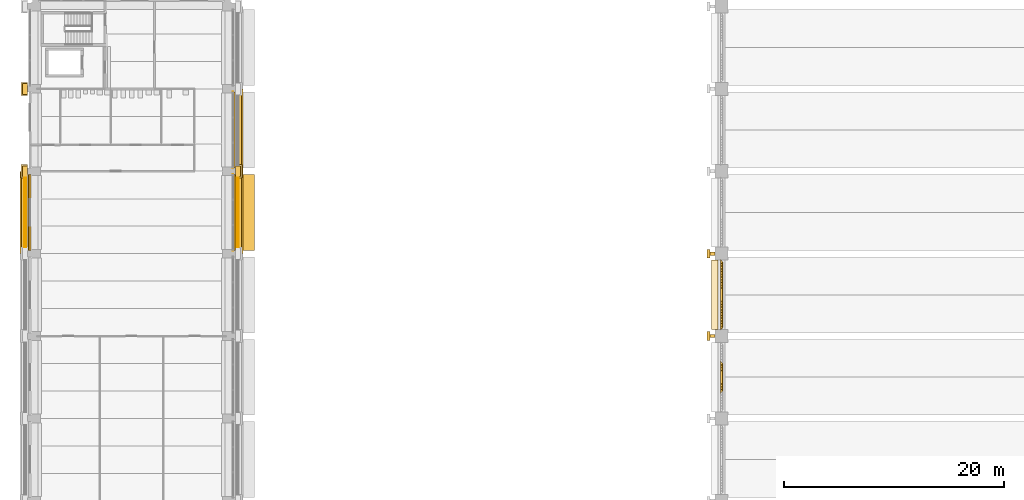
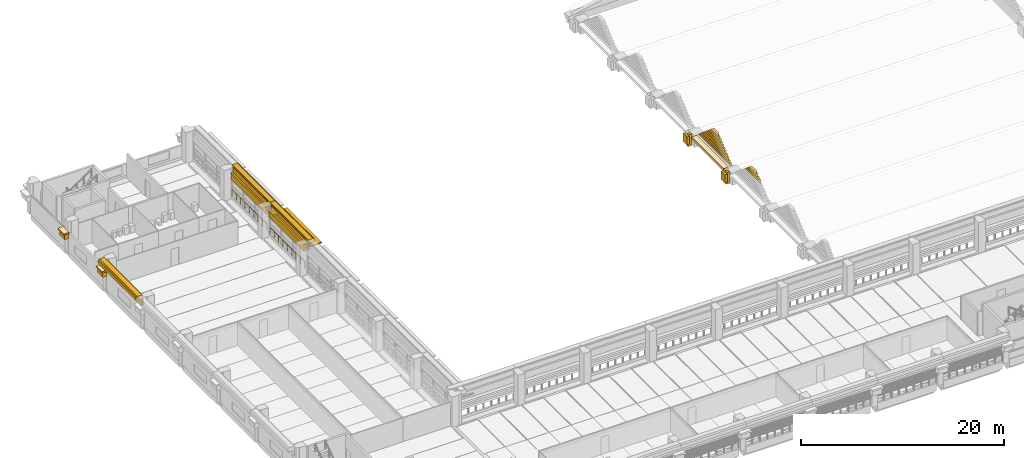
# One storey, part 51 of 71: 19 coverings, 16 shading devices, 2 railings.
"""IFC4 building model written with IfcOpenShell, lengths in metres."""

from ifc_helpers import new_model, si_unit, direction, frame, origin, origin_2d, place, context, subcontext, project, spatial, polyline, circle, outline, extrude, material, layer, layer_set, type_object, element, save


model = new_model("IFC4")

# Units and contexts
model_context = context("Model", 3, precision=1e-05, world=origin(), true_north=direction((0.0, 1.0)))
body_context = subcontext(model_context, "Body", "Model", "MODEL_VIEW")
ifc_project = project(units=[si_unit("LENGTHUNIT", "METRE"), si_unit("AREAUNIT", "SQUARE_METRE"), si_unit("VOLUMEUNIT", "CUBIC_METRE"), si_unit("PLANEANGLEUNIT", "RADIAN"), si_unit("MASSUNIT", "GRAM", prefix="KILO")], contexts=[model_context])

# Site, building, storey
site_placement = place(None, origin())
site = spatial("IfcSite", under=ifc_project, at=site_placement, CompositionType="ELEMENT")
building_placement = place(site_placement, origin())
building = spatial("IfcBuilding", under=site, at=building_placement, Name="Cour d'Honneur Mobility Palace", CompositionType="ELEMENT")
storey_placement = place(building_placement, frame((0.0, 0.0, 15.60009765625)))
storey = spatial("IfcBuildingStorey", under=building, at=storey_placement, Name="L04", CompositionType="ELEMENT", Elevation=15.60009765625)

# Railings
ifc_material_1 = material(Name="Painted steel", Category="steel")
railing_type = type_object("IfcRailingType", Name="Balustrade", PredefinedType="BALUSTRADE", material=ifc_material_1)
for number, where, name in (
    (1, (17.949951171875, 92.699951171875, 0.2998046875), "Balustrade BAL-256"),
    (2, (17.949951171875, 100.199951171875, 0.2998046875), "Balustrade BAL-257"),
):
    element("IfcRailing", number, at=place(storey_placement, frame(where)), inside=storey, type_object=railing_type, Name=name, PredefinedType="BALUSTRADE", context=body_context, shape_type="SweptSolid", body=[
        extrude(circle(Radius=0.02392578125, at=origin_2d()), frame((0.0, 0.0, 0.77587890625), z_axis=(0.0, 1.0, 0.0), x_axis=(-1.0, 0.0, 0.0)), (0.0, 0.0, 1.0), 6.900146484375),
        extrude(circle(Radius=0.02099609375, at=origin_2d()), origin(), (0.0, 0.0, 1.0), 0.751953125),
        extrude(circle(Radius=0.02099609375, at=origin_2d()), frame((0.0, 0.862548828125, 0.0)), (0.0, 0.0, 1.0), 0.751953125),
        extrude(circle(Radius=0.02099609375, at=origin_2d()), frame((0.0, 1.72509765625, 0.0)), (0.0, 0.0, 1.0), 0.751953125),
        extrude(circle(Radius=0.02099609375, at=origin_2d()), frame((0.0, 2.587646484375, 0.0)), (0.0, 0.0, 1.0), 0.751953125),
        extrude(circle(Radius=0.02099609375, at=origin_2d()), frame((0.0, 3.4501953125, 0.0)), (0.0, 0.0, 1.0), 0.751953125),
        extrude(circle(Radius=0.02099609375, at=origin_2d()), frame((0.0, 4.3125, 0.0)), (0.0, 0.0, 1.0), 0.751953125),
        extrude(circle(Radius=0.02099609375, at=origin_2d()), frame((0.0, 5.175048828125, 0.0)), (0.0, 0.0, 1.0), 0.751953125),
        extrude(circle(Radius=0.02099609375, at=origin_2d()), frame((0.0, 6.03759765625, 0.0)), (0.0, 0.0, 1.0), 0.751953125),
        extrude(circle(Radius=0.02099609375, at=origin_2d()), frame((0.0, 6.900146484375, 0.0)), (0.0, 0.0, 1.0), 0.751953125),
    ])

# Coverings
ifc_material_2 = material(Name="Cast limestone", Category="masonry")
ifc_layer_1 = layer(ifc_material_2, 0.14990234375)
ifc_layer_set_1 = layer_set([ifc_layer_1], Name="Cast limestone")
covering_type_1 = type_object("IfcCoveringType", Name="Dentil course", PredefinedType="CLADDING", material=ifc_layer_set_1)
covering_1_placement = place(storey_placement, frame((0.0, 0.0, 3.14990234375)))
element("IfcCovering", 3, at=covering_1_placement, inside=storey, type_object=covering_type_1, Name="Dentil course DC-116", PredefinedType="CLADDING", context=body_context, shape_type="SweptSolid", body=[
    extrude(outline(polyline([(18.300048828125, 92.85009765625), (18.300048828125, 99.449951171875), (18.330078125, 99.449951171875), (18.330078125, 99.449951171875), (18.330078125, 99.371337890625), (18.449951171875, 99.371337890625), (18.449951171875, 99.21435546875), (18.330078125, 99.21435546875), (18.330078125, 99.1357421875), (18.330078125, 99.1357421875), (18.330078125, 99.05712890625), (18.449951171875, 99.05712890625), (18.449951171875, 98.89990234375), (18.330078125, 98.89990234375), (18.330078125, 98.821533203125), (18.330078125, 98.821533203125), (18.330078125, 98.742919921875), (18.449951171875, 98.742919921875), (18.449951171875, 98.585693359375), (18.330078125, 98.585693359375), (18.330078125, 98.507080078125), (18.330078125, 98.507080078125), (18.330078125, 98.428466796875), (18.449951171875, 98.428466796875), (18.449951171875, 98.271484375), (18.330078125, 98.271484375), (18.330078125, 98.19287109375), (18.330078125, 98.19287109375), (18.330078125, 98.1142578125), (18.449951171875, 98.1142578125), (18.449951171875, 97.95703125), (18.330078125, 97.95703125), (18.330078125, 97.878662109375), (18.330078125, 97.878662109375), (18.330078125, 97.800048828125), (18.449951171875, 97.800048828125), (18.449951171875, 97.642822265625), (18.330078125, 97.642822265625), (18.330078125, 97.564208984375), (18.330078125, 97.564208984375), (18.330078125, 97.485595703125), (18.449951171875, 97.485595703125), (18.449951171875, 97.32861328125), (18.330078125, 97.32861328125), (18.330078125, 97.25), (18.330078125, 97.25), (18.330078125, 97.17138671875), (18.449951171875, 97.17138671875), (18.449951171875, 97.014404296875), (18.330078125, 97.014404296875), (18.330078125, 96.935791015625), (18.330078125, 96.935791015625), (18.330078125, 96.857177734375), (18.449951171875, 96.857177734375), (18.449951171875, 96.699951171875), (18.330078125, 96.699951171875), (18.330078125, 96.621337890625), (18.330078125, 96.621337890625), (18.330078125, 96.54296875), (18.449951171875, 96.54296875), (18.449951171875, 96.3857421875), (18.330078125, 96.3857421875), (18.330078125, 96.30712890625), (18.330078125, 96.30712890625), (18.330078125, 96.228515625), (18.449951171875, 96.228515625), (18.449951171875, 96.071533203125), (18.330078125, 96.071533203125), (18.330078125, 95.992919921875), (18.330078125, 95.992919921875), (18.330078125, 95.914306640625), (18.449951171875, 95.914306640625), (18.449951171875, 95.757080078125), (18.330078125, 95.757080078125), (18.330078125, 95.678466796875), (18.330078125, 95.678466796875), (18.330078125, 95.60009765625), (18.449951171875, 95.60009765625), (18.449951171875, 95.44287109375), (18.330078125, 95.44287109375), (18.330078125, 95.3642578125), (18.330078125, 95.3642578125), (18.330078125, 95.28564453125), (18.449951171875, 95.28564453125), (18.449951171875, 95.128662109375), (18.330078125, 95.128662109375), (18.330078125, 95.050048828125), (18.330078125, 95.050048828125), (18.330078125, 94.971435546875), (18.449951171875, 94.971435546875), (18.449951171875, 94.814208984375), (18.330078125, 94.814208984375), (18.330078125, 94.735595703125), (18.330078125, 94.735595703125), (18.330078125, 94.6572265625), (18.449951171875, 94.6572265625), (18.449951171875, 94.5), (18.330078125, 94.5), (18.330078125, 94.42138671875), (18.330078125, 94.42138671875), (18.330078125, 94.3427734375), (18.449951171875, 94.3427734375), (18.449951171875, 94.185791015625), (18.330078125, 94.185791015625), (18.330078125, 94.107177734375), (18.330078125, 94.107177734375), (18.330078125, 94.028564453125), (18.449951171875, 94.028564453125), (18.449951171875, 93.871337890625), (18.330078125, 93.871337890625), (18.330078125, 93.79296875), (18.330078125, 93.79296875), (18.330078125, 93.71435546875), (18.449951171875, 93.71435546875), (18.449951171875, 93.55712890625), (18.330078125, 93.55712890625), (18.330078125, 93.478515625), (18.330078125, 93.478515625), (18.330078125, 93.39990234375), (18.449951171875, 93.39990234375), (18.449951171875, 93.242919921875), (18.330078125, 93.242919921875), (18.330078125, 93.164306640625), (18.330078125, 93.164306640625), (18.330078125, 93.085693359375), (18.449951171875, 93.085693359375), (18.449951171875, 92.928466796875), (18.330078125, 92.928466796875), (18.330078125, 92.85009765625), (18.300048828125, 92.85009765625)])), origin(), (0.0, 0.0, 1.0), 0.14990234375),
])
covering_2_placement = place(storey_placement, frame((0.0, 0.0, 3.14990234375)))
element("IfcCovering", 4, at=covering_2_placement, inside=storey, type_object=covering_type_1, Name="Dentil course DC-119", PredefinedType="CLADDING", context=body_context, shape_type="SweptSolid", body=[
    extrude(outline(polyline([(-0.89990234375, 99.449951171875), (-0.89990234375, 92.85009765625), (-0.929931640625, 92.85009765625), (-0.929931640625, 92.85009765625), (-0.929931640625, 92.928466796875), (-1.050048828125, 92.928466796875), (-1.050048828125, 93.085693359375), (-0.929931640625, 93.085693359375), (-0.929931640625, 93.164306640625), (-0.929931640625, 93.164306640625), (-0.929931640625, 93.242919921875), (-1.050048828125, 93.242919921875), (-1.050048828125, 93.39990234375), (-0.929931640625, 93.39990234375), (-0.929931640625, 93.478515625), (-0.929931640625, 93.478515625), (-0.929931640625, 93.55712890625), (-1.050048828125, 93.55712890625), (-1.050048828125, 93.71435546875), (-0.929931640625, 93.71435546875), (-0.929931640625, 93.79296875), (-0.929931640625, 93.79296875), (-0.929931640625, 93.871337890625), (-1.050048828125, 93.871337890625), (-1.050048828125, 94.028564453125), (-0.929931640625, 94.028564453125), (-0.929931640625, 94.107177734375), (-0.929931640625, 94.107177734375), (-0.929931640625, 94.185791015625), (-1.050048828125, 94.185791015625), (-1.050048828125, 94.3427734375), (-0.929931640625, 94.3427734375), (-0.929931640625, 94.42138671875), (-0.929931640625, 94.42138671875), (-0.929931640625, 94.5), (-1.050048828125, 94.5), (-1.050048828125, 94.6572265625), (-0.929931640625, 94.6572265625), (-0.929931640625, 94.735595703125), (-0.929931640625, 94.735595703125), (-0.929931640625, 94.814208984375), (-1.050048828125, 94.814208984375), (-1.050048828125, 94.971435546875), (-0.929931640625, 94.971435546875), (-0.929931640625, 95.050048828125), (-0.929931640625, 95.050048828125), (-0.929931640625, 95.128662109375), (-1.050048828125, 95.128662109375), (-1.050048828125, 95.28564453125), (-0.929931640625, 95.28564453125), (-0.929931640625, 95.3642578125), (-0.929931640625, 95.3642578125), (-0.929931640625, 95.44287109375), (-1.050048828125, 95.44287109375), (-1.050048828125, 95.60009765625), (-0.929931640625, 95.60009765625), (-0.929931640625, 95.678466796875), (-0.929931640625, 95.678466796875), (-0.929931640625, 95.757080078125), (-1.050048828125, 95.757080078125), (-1.050048828125, 95.914306640625), (-0.929931640625, 95.914306640625), (-0.929931640625, 95.992919921875), (-0.929931640625, 95.992919921875), (-0.929931640625, 96.071533203125), (-1.050048828125, 96.071533203125), (-1.050048828125, 96.228515625), (-0.929931640625, 96.228515625), (-0.929931640625, 96.30712890625), (-0.929931640625, 96.30712890625), (-0.929931640625, 96.3857421875), (-1.050048828125, 96.3857421875), (-1.050048828125, 96.54296875), (-0.929931640625, 96.54296875), (-0.929931640625, 96.621337890625), (-0.929931640625, 96.621337890625), (-0.929931640625, 96.699951171875), (-1.050048828125, 96.699951171875), (-1.050048828125, 96.857177734375), (-0.929931640625, 96.857177734375), (-0.929931640625, 96.935791015625), (-0.929931640625, 96.935791015625), (-0.929931640625, 97.014404296875), (-1.050048828125, 97.014404296875), (-1.050048828125, 97.17138671875), (-0.929931640625, 97.17138671875), (-0.929931640625, 97.25), (-0.929931640625, 97.25), (-0.929931640625, 97.32861328125), (-1.050048828125, 97.32861328125), (-1.050048828125, 97.485595703125), (-0.929931640625, 97.485595703125), (-0.929931640625, 97.564208984375), (-0.929931640625, 97.564208984375), (-0.929931640625, 97.642822265625), (-1.050048828125, 97.642822265625), (-1.050048828125, 97.800048828125), (-0.929931640625, 97.800048828125), (-0.929931640625, 97.878662109375), (-0.929931640625, 97.878662109375), (-0.929931640625, 97.95703125), (-1.050048828125, 97.95703125), (-1.050048828125, 98.1142578125), (-0.929931640625, 98.1142578125), (-0.929931640625, 98.19287109375), (-0.929931640625, 98.19287109375), (-0.929931640625, 98.271484375), (-1.050048828125, 98.271484375), (-1.050048828125, 98.428466796875), (-0.929931640625, 98.428466796875), (-0.929931640625, 98.507080078125), (-0.929931640625, 98.507080078125), (-0.929931640625, 98.585693359375), (-1.050048828125, 98.585693359375), (-1.050048828125, 98.742919921875), (-0.929931640625, 98.742919921875), (-0.929931640625, 98.821533203125), (-0.929931640625, 98.821533203125), (-0.929931640625, 98.89990234375), (-1.050048828125, 98.89990234375), (-1.050048828125, 99.05712890625), (-0.929931640625, 99.05712890625), (-0.929931640625, 99.1357421875), (-0.929931640625, 99.1357421875), (-0.929931640625, 99.21435546875), (-1.050048828125, 99.21435546875), (-1.050048828125, 99.371337890625), (-0.929931640625, 99.371337890625), (-0.929931640625, 99.449951171875), (-0.89990234375, 99.449951171875)])), origin(), (0.0, 0.0, 1.0), 0.14990234375),
])

# Shading device
ifc_material_3 = material(Name="Anodised aluminium", Category="aluminium")
ifc_layer_2 = layer(ifc_material_3, 0.1201171875)
ifc_layer_set_2 = layer_set([ifc_layer_2], Name="Anodised aluminium")
shading_device_type_1 = type_object("IfcShadingDeviceType", Name="Eave sunshade 1800", PredefinedType="AWNING", material=ifc_layer_set_2)
shading_device_1_placement = place(storey_placement, frame((0.0, 0.0, 2.6298828125)))
element("IfcShadingDevice", 5, at=shading_device_1_placement, inside=storey, type_object=shading_device_type_1, Name="Sunshade E9.4 L04", PredefinedType="AWNING", context=body_context, shape_type="SweptSolid", body=[
    extrude(outline(polyline([(18.10009765625, 92.699951171875), (18.10009765625, 99.60009765625), (19.89990234375, 99.60009765625), (19.89990234375, 92.699951171875), (18.10009765625, 92.699951171875)])), origin(), (0.0, 0.0, 1.0), 0.1201171875),
])

# Coverings
ifc_material_4 = material(Name="Cast limestone", Category="masonry")
ifc_layer_3 = layer(ifc_material_4, 0.699951171875)
ifc_layer_set_3 = layer_set([ifc_layer_3], Name="Cast limestone")
covering_type_2 = type_object("IfcCoveringType", Name="Entablature", PredefinedType="CLADDING", material=ifc_layer_set_3)
for number, where, z_axis, x_axis, name in (
    (6, (18.14990234375, 92.39990234375, 2.599853515625), (0.0, -1.0, 0.0), (1.0, 0.0, 0.0), "Entablature EN-116"),
    (7, (18.14990234375, 99.89990234375, 2.599853515625), (0.0, -1.0, 0.0), (1.0, 0.0, 0.0), "Entablature EN-117"),
):
    element("IfcCovering", number, at=place(storey_placement, frame(where, z_axis=z_axis, x_axis=x_axis)), inside=storey, type_object=covering_type_2, Name=name, PredefinedType="CLADDING", context=body_context, shape_type="SweptSolid", body=[
        extrude(outline(polyline([(0.0, 0.0), (0.150146484375, 0.0), (0.150146484375, 0.699951171875), (0.7001953125, 0.699951171875), (0.7001953125, 1.10009765625), (0.550048828125, 1.199951171875), (0.0, 1.199951171875), (0.0, 0.0)])), origin(), (0.0, 0.0, -1.0), 7.5),
    ])
covering_3_placement = place(storey_placement, frame((-0.75, 99.89990234375, 2.599853515625), z_axis=(0.0, 1.0, 0.0), x_axis=(-1.0, 0.0, 0.0)))
element("IfcCovering", 8, at=covering_3_placement, inside=storey, type_object=covering_type_2, Name="Entablature EN-119", PredefinedType="CLADDING", context=body_context, shape_type="SweptSolid", body=[
    extrude(outline(polyline([(0.0, 0.0), (0.14990234375, 0.0), (0.14990234375, 0.699951171875), (0.699951171875, 0.699951171875), (0.699951171875, 1.10009765625), (0.550048828125, 1.199951171875), (0.0, 1.199951171875), (0.0, 0.0)])), origin(), (0.0, 0.0, -1.0), 7.5),
])
ifc_material_5 = material(Name="Cast limestone", Category="masonry")
ifc_layer_4 = layer(ifc_material_5, 0.39990234375)
ifc_layer_set_4 = layer_set([ifc_layer_4], Name="Cast limestone")
covering_type_3 = type_object("IfcCoveringType", Name="Hall eave cornice", PredefinedType="CLADDING", material=ifc_layer_set_4)
covering_4_placement = place(storey_placement, frame((62.10009765625, 85.5, 1.39990234375), z_axis=(0.0, -1.0, 0.0), x_axis=(-1.0, 0.0, 0.0)))
element("IfcCovering", 9, at=covering_4_placement, inside=storey, type_object=covering_type_3, Name="Hall eave cornice EB-W4", PredefinedType="CLADDING", context=body_context, shape_type="SweptSolid", body=[
    extrude(outline(polyline([(0.0, 0.0), (0.60009765625, 0.0), (0.60009765625, 0.300048828125), (0.35009765625, 0.300048828125), (0.35009765625, 0.550048828125), (0.0, 0.550048828125), (0.0, 0.0)])), origin(), (0.0, 0.0, -1.0), 6.300048828125),
])
ifc_material_6 = material(Name="Cast limestone", Category="masonry")
ifc_layer_5 = layer(ifc_material_6, 0.300048828125)
ifc_layer_set_5 = layer_set([ifc_layer_5], Name="Cast limestone")
covering_type_4 = type_object("IfcCoveringType", Name="Pier fin", PredefinedType="CLADDING", material=ifc_layer_set_5)
covering_5_placement = place(storey_placement, origin())
element("IfcCovering", 10, at=covering_5_placement, inside=storey, type_object=covering_type_4, Name="Pier fin HP-W4 L04", PredefinedType="CLADDING", context=body_context, shape_type="SweptSolid", body=[
    extrude(outline(polyline([(61.35009765625, 84.75), (61.800048828125, 84.75), (61.800048828125, 85.050048828125), (61.35009765625, 85.050048828125), (61.35009765625, 84.75)])), origin(), (0.0, 0.0, 1.0), 1.39990234375),
])
covering_6_placement = place(storey_placement, origin())
element("IfcCovering", 11, at=covering_6_placement, inside=storey, type_object=covering_type_4, Name="Pier fin HP-W5 L04", PredefinedType="CLADDING", context=body_context, shape_type="SweptSolid", body=[
    extrude(outline(polyline([(61.35009765625, 92.25), (61.800048828125, 92.25), (61.800048828125, 92.550048828125), (61.35009765625, 92.550048828125), (61.35009765625, 92.25)])), origin(), (0.0, 0.0, 1.0), 1.39990234375),
])
ifc_material_7 = material(Name="Cast limestone", Category="masonry")
ifc_layer_6 = layer(ifc_material_7, 0.1201171875)
ifc_layer_set_6 = layer_set([ifc_layer_6], Name="Cast limestone")
covering_type_5 = type_object("IfcCoveringType", Name="Pilaster capital", PredefinedType="CLADDING", material=ifc_layer_set_6)
covering_7_placement = place(storey_placement, frame((0.0, 0.0, 1.7998046875)))
element("IfcCovering", 12, at=covering_7_placement, inside=storey, type_object=covering_type_5, Name="Pilaster capital PK-169", PredefinedType="CLADDING", context=body_context, shape_type="SweptSolid", body=[
    extrude(outline(polyline([(18.14990234375, 99.39990234375), (18.14990234375, 100.39990234375), (18.6201171875, 100.39990234375), (18.6201171875, 99.39990234375), (18.14990234375, 99.39990234375)])), origin(), (0.0, 0.0, 1.0), 0.6201171875),
])
covering_8_placement = place(storey_placement, frame((0.0, 0.0, 2.419921875)))
element("IfcCovering", 13, at=covering_8_placement, inside=storey, type_object=covering_type_5, Name="Pilaster capital PK-170", PredefinedType="CLADDING", context=body_context, shape_type="SweptSolid", body=[
    extrude(outline(polyline([(18.14990234375, 99.300048828125), (18.14990234375, 100.5), (18.75, 100.5), (18.75, 99.300048828125), (18.14990234375, 99.300048828125)])), origin(), (0.0, 0.0, 1.0), 0.179931640625),
])
covering_9_placement = place(storey_placement, frame((0.0, 0.0, 1.7998046875)))
element("IfcCovering", 14, at=covering_9_placement, inside=storey, type_object=covering_type_5, Name="Pilaster capital PK-181", PredefinedType="CLADDING", context=body_context, shape_type="SweptSolid", body=[
    extrude(outline(polyline([(-0.75, 107.89990234375), (-0.75, 106.89990234375), (-1.219970703125, 106.89990234375), (-1.219970703125, 107.89990234375), (-0.75, 107.89990234375)])), origin(), (0.0, 0.0, 1.0), 0.6201171875),
])
covering_10_placement = place(storey_placement, frame((0.0, 0.0, 2.419921875)))
element("IfcCovering", 15, at=covering_10_placement, inside=storey, type_object=covering_type_5, Name="Pilaster capital PK-182", PredefinedType="CLADDING", context=body_context, shape_type="SweptSolid", body=[
    extrude(outline(polyline([(-0.75, 108.0), (-0.75, 106.800048828125), (-1.35009765625, 106.800048828125), (-1.35009765625, 108.0), (-0.75, 108.0)])), origin(), (0.0, 0.0, 1.0), 0.179931640625),
])
covering_11_placement = place(storey_placement, frame((0.0, 0.0, 1.7998046875)))
element("IfcCovering", 16, at=covering_11_placement, inside=storey, type_object=covering_type_5, Name="Pilaster capital PK-183", PredefinedType="CLADDING", context=body_context, shape_type="SweptSolid", body=[
    extrude(outline(polyline([(-0.75, 100.39990234375), (-0.75, 99.39990234375), (-1.219970703125, 99.39990234375), (-1.219970703125, 100.39990234375), (-0.75, 100.39990234375)])), origin(), (0.0, 0.0, 1.0), 0.6201171875),
])
covering_12_placement = place(storey_placement, frame((0.0, 0.0, 2.419921875)))
element("IfcCovering", 17, at=covering_12_placement, inside=storey, type_object=covering_type_5, Name="Pilaster capital PK-184", PredefinedType="CLADDING", context=body_context, shape_type="SweptSolid", body=[
    extrude(outline(polyline([(-0.75, 100.5), (-0.75, 99.300048828125), (-1.35009765625, 99.300048828125), (-1.35009765625, 100.5), (-0.75, 100.5)])), origin(), (0.0, 0.0, 1.0), 0.179931640625),
])
covering_13_placement = place(storey_placement, frame((0.0, 0.0, 0.39990234375)))
element("IfcCovering", 18, at=covering_13_placement, inside=storey, type_object=covering_type_5, Name="Hall pilaster capital HP-W4", PredefinedType="CLADDING", context=body_context, shape_type="SweptSolid", body=[
    extrude(outline(polyline([(61.10009765625, 84.5), (61.35009765625, 84.5), (61.35009765625, 85.300048828125), (61.10009765625, 85.300048828125), (61.10009765625, 84.5)])), origin(), (0.0, 0.0, 1.0), 1.0),
])
covering_14_placement = place(storey_placement, frame((0.0, 0.0, 0.39990234375)))
element("IfcCovering", 19, at=covering_14_placement, inside=storey, type_object=covering_type_5, Name="Hall pilaster capital HP-W5", PredefinedType="CLADDING", context=body_context, shape_type="SweptSolid", body=[
    extrude(outline(polyline([(61.10009765625, 92.0), (61.35009765625, 92.0), (61.35009765625, 92.800048828125), (61.10009765625, 92.800048828125), (61.10009765625, 92.0)])), origin(), (0.0, 0.0, 1.0), 1.0),
])
ifc_material_8 = material(Name="Cast limestone", Category="masonry")
ifc_layer_7 = layer(ifc_material_8, 0.25)
ifc_layer_set_7 = layer_set([ifc_layer_7], Name="Cast limestone")
covering_type_6 = type_object("IfcCoveringType", Name="Spandrel cladding", PredefinedType="CLADDING", material=ifc_layer_set_7)
for number, where, z_axis, x_axis, name in (
    (20, (17.85009765625, 92.699951171875, 2.2998046875), (0.0, -1.0, 0.0), (1.0, 0.0, 0.0), "Spandrel cladding SK-335"),
    (21, (17.85009765625, 100.199951171875, 2.2998046875), (0.0, -1.0, 0.0), (1.0, 0.0, 0.0), "Spandrel cladding SK-336"),
    (22, (-0.449951171875, 99.60009765625, 2.2998046875), (0.0, 1.0, 0.0), (-1.0, 0.0, 0.0), "Spandrel cladding SK-338"),
):
    element("IfcCovering", number, at=place(storey_placement, frame(where, z_axis=z_axis, x_axis=x_axis)), inside=storey, type_object=covering_type_6, Name=name, PredefinedType="CLADDING", context=body_context, shape_type="SweptSolid", body=[
        extrude(outline(polyline([(0.0, 0.0), (0.25, 0.0), (0.25, 1.400146484375), (0.199951171875, 1.400146484375), (0.199951171875, 0.800048828125), (0.0, 0.800048828125), (0.0, 0.0)])), origin(), (0.0, 0.0, -1.0), 6.89990234375),
    ])

# Shading devices
ifc_material_9 = material(Name="Terracotta", Category="masonry")
ifc_layer_8 = layer(ifc_material_9, 0.02490234375)
ifc_layer_set_8 = layer_set([ifc_layer_8], Name="Terracotta")
shading_device_type_2 = type_object("IfcShadingDeviceType", Name="Terracotta louvre blade", PredefinedType="JALOUSIE", material=ifc_layer_set_8)
shading_device_2_placement = place(storey_placement, frame((62.2939453125, 79.6669921875, 2.902587890625), z_axis=(-0.706699578995, 0.0, 0.707513749017), x_axis=(0.0, 1.0, 0.0)))
element("IfcShadingDevice", 23, at=shading_device_2_placement, inside=storey, type_object=shading_device_type_2, Name="Gable louvre blade LV-3 W3 8", PredefinedType="JALOUSIE", context=body_context, shape_type="SweptSolid", body=[
    extrude(outline(polyline([(0.0, 0.0), (2.966064453125, 0.0), (2.716552734375, -0.29986442442957895), (0.24951171875, -0.29986442442957895), (0.0, 0.0)])), origin(), (0.0, 0.0, -1.0), 0.02490234375),
])
shading_device_3_placement = place(storey_placement, frame((62.2939453125, 79.91650390625, 3.114501953125), z_axis=(-0.707513281104, 0.0, 0.706700047447), x_axis=(0.0, 1.0, 0.0)))
element("IfcShadingDevice", 24, at=shading_device_3_placement, inside=storey, type_object=shading_device_type_2, Name="Gable louvre blade LV-3 W3 9", PredefinedType="JALOUSIE", context=body_context, shape_type="SweptSolid", body=[
    extrude(outline(polyline([(0.0, 0.0), (2.467041015625, 0.0), (2.217529296875, -0.30020969135542896), (0.24951171875, -0.30020969135542896), (0.0, 0.0)])), origin(), (0.0, 0.0, -1.0), 0.02490234375),
])
shading_device_4_placement = place(storey_placement, frame((62.2939453125, 80.166015625, 3.326904296875), z_axis=(-0.706699578995, 0.0, 0.707513749017), x_axis=(0.0, 1.0, 0.0)))
element("IfcShadingDevice", 25, at=shading_device_4_placement, inside=storey, type_object=shading_device_type_2, Name="Gable louvre blade LV-3 W3 10", PredefinedType="JALOUSIE", context=body_context, shape_type="SweptSolid", body=[
    extrude(outline(polyline([(0.0, 0.0), (1.968017578125, 0.0), (1.718505859375, -0.29986442442957895), (0.249267578125, -0.29986442442957895), (0.0, 0.0)])), origin(), (0.0, 0.0, -1.0), 0.02490234375),
])
shading_device_5_placement = place(storey_placement, frame((62.2939453125, 80.415283203125, 3.538818359375), z_axis=(-0.707106781187, 0.0, 0.707106781187), x_axis=(0.0, 1.0, 0.0)))
element("IfcShadingDevice", 26, at=shading_device_5_placement, inside=storey, type_object=shading_device_type_2, Name="Gable louvre blade LV-3 W3 11", PredefinedType="JALOUSIE", context=body_context, shape_type="SweptSolid", body=[
    extrude(outline(polyline([(0.0, 0.0), (1.46923828125, 0.0), (1.219970703125, -0.300037008228081), (0.24951171875, -0.300037008228081), (0.0, 0.0)])), origin(), (0.0, 0.0, -1.0), 0.02490234375),
])
shading_device_6_placement = place(storey_placement, frame((62.2939453125, 85.4208984375, 1.41748046875), z_axis=(-0.707106781187, 0.0, 0.707106781187), x_axis=(0.0, 1.0, 0.0)))
element("IfcShadingDevice", 27, at=shading_device_6_placement, inside=storey, type_object=shading_device_type_2, Name="Gable louvre blade LV-3 W4 1", PredefinedType="JALOUSIE", context=body_context, shape_type="SweptSolid", body=[
    extrude(outline(polyline([(0.0, 0.0), (6.458251953125, 0.0), (6.208984375, -0.300037008228081), (0.249267578125, -0.300037008228081), (0.0, 0.0)])), origin(), (0.0, 0.0, -1.0), 0.02490234375),
])
shading_device_7_placement = place(storey_placement, frame((62.2939453125, 85.670166015625, 1.629638671875), z_axis=(-0.707106781187, 0.0, 0.707106781187), x_axis=(0.0, 1.0, 0.0)))
element("IfcShadingDevice", 28, at=shading_device_7_placement, inside=storey, type_object=shading_device_type_2, Name="Gable louvre blade LV-3 W4 2", PredefinedType="JALOUSIE", context=body_context, shape_type="SweptSolid", body=[
    extrude(outline(polyline([(0.0, 0.0), (5.959716796875, 0.0), (5.710205078125, -0.30003700822808094), (0.24951171875, -0.30003700822808094), (0.0, 0.0)])), origin(), (0.0, 0.0, -1.0), 0.02490234375),
])
shading_device_8_placement = place(storey_placement, frame((62.2939453125, 85.919677734375, 1.841796875), z_axis=(-0.707106781187, 0.0, 0.707106781187), x_axis=(0.0, 1.0, 0.0)))
element("IfcShadingDevice", 29, at=shading_device_8_placement, inside=storey, type_object=shading_device_type_2, Name="Gable louvre blade LV-3 W4 3", PredefinedType="JALOUSIE", context=body_context, shape_type="SweptSolid", body=[
    extrude(outline(polyline([(0.0, 0.0), (5.460693359375, 0.0), (5.211181640625, -0.300037008228081), (0.24951171875, -0.300037008228081), (0.0, 0.0)])), origin(), (0.0, 0.0, -1.0), 0.02490234375),
])
shading_device_9_placement = place(storey_placement, frame((62.2939453125, 86.169189453125, 2.053955078125), z_axis=(-0.707106781187, 0.0, 0.707106781187), x_axis=(0.0, 1.0, 0.0)))
element("IfcShadingDevice", 30, at=shading_device_9_placement, inside=storey, type_object=shading_device_type_2, Name="Gable louvre blade LV-3 W4 4", PredefinedType="JALOUSIE", context=body_context, shape_type="SweptSolid", body=[
    extrude(outline(polyline([(0.0, 0.0), (4.961669921875, 0.0), (4.712158203125, -0.300037008228081), (0.24951171875, -0.300037008228081), (0.0, 0.0)])), origin(), (0.0, 0.0, -1.0), 0.02490234375),
])
shading_device_10_placement = place(storey_placement, frame((62.2939453125, 86.418701171875, 2.26611328125), z_axis=(-0.707106781187, 0.0, 0.707106781187), x_axis=(0.0, 1.0, 0.0)))
element("IfcShadingDevice", 31, at=shading_device_10_placement, inside=storey, type_object=shading_device_type_2, Name="Gable louvre blade LV-3 W4 5", PredefinedType="JALOUSIE", context=body_context, shape_type="SweptSolid", body=[
    extrude(outline(polyline([(0.0, 0.0), (4.462646484375, 0.0), (4.213134765625, -0.30003700822808094), (0.24951171875, -0.30003700822808094), (0.0, 0.0)])), origin(), (0.0, 0.0, -1.0), 0.02490234375),
])
shading_device_11_placement = place(storey_placement, frame((62.2939453125, 86.668212890625, 2.478271484375), z_axis=(-0.707106781187, 0.0, 0.707106781187), x_axis=(0.0, 1.0, 0.0)))
element("IfcShadingDevice", 32, at=shading_device_11_placement, inside=storey, type_object=shading_device_type_2, Name="Gable louvre blade LV-3 W4 6", PredefinedType="JALOUSIE", context=body_context, shape_type="SweptSolid", body=[
    extrude(outline(polyline([(0.0, 0.0), (3.963623046875, 0.0), (3.71435546875, -0.300037008228081), (0.249267578125, -0.300037008228081), (0.0, 0.0)])), origin(), (0.0, 0.0, -1.0), 0.02490234375),
])
shading_device_12_placement = place(storey_placement, frame((62.2939453125, 86.91748046875, 2.6904296875), z_axis=(-0.707106781187, 0.0, 0.707106781187), x_axis=(0.0, 1.0, 0.0)))
element("IfcShadingDevice", 33, at=shading_device_12_placement, inside=storey, type_object=shading_device_type_2, Name="Gable louvre blade LV-3 W4 7", PredefinedType="JALOUSIE", context=body_context, shape_type="SweptSolid", body=[
    extrude(outline(polyline([(0.0, 0.0), (3.465087890625, 0.0), (3.215576171875, -0.30003700822808094), (0.24951171875, -0.30003700822808094), (0.0, 0.0)])), origin(), (0.0, 0.0, -1.0), 0.02490234375),
])
shading_device_13_placement = place(storey_placement, frame((62.2939453125, 87.1669921875, 2.902587890625), z_axis=(-0.706699578995, 0.0, 0.707513749017), x_axis=(0.0, 1.0, 0.0)))
element("IfcShadingDevice", 34, at=shading_device_13_placement, inside=storey, type_object=shading_device_type_2, Name="Gable louvre blade LV-3 W4 8", PredefinedType="JALOUSIE", context=body_context, shape_type="SweptSolid", body=[
    extrude(outline(polyline([(0.0, 0.0), (2.966064453125, 0.0), (2.716552734375, -0.29986442442957895), (0.24951171875, -0.29986442442957895), (0.0, 0.0)])), origin(), (0.0, 0.0, -1.0), 0.02490234375),
])
shading_device_14_placement = place(storey_placement, frame((62.2939453125, 87.41650390625, 3.114501953125), z_axis=(-0.707513281104, 0.0, 0.706700047447), x_axis=(0.0, 1.0, 0.0)))
element("IfcShadingDevice", 35, at=shading_device_14_placement, inside=storey, type_object=shading_device_type_2, Name="Gable louvre blade LV-3 W4 9", PredefinedType="JALOUSIE", context=body_context, shape_type="SweptSolid", body=[
    extrude(outline(polyline([(0.0, 0.0), (2.467041015625, 0.0), (2.217529296875, -0.30020969135542896), (0.24951171875, -0.30020969135542896), (0.0, 0.0)])), origin(), (0.0, 0.0, -1.0), 0.02490234375),
])
shading_device_15_placement = place(storey_placement, frame((62.2939453125, 87.666015625, 3.326904296875), z_axis=(-0.706699578995, 0.0, 0.707513749017), x_axis=(0.0, 1.0, 0.0)))
element("IfcShadingDevice", 36, at=shading_device_15_placement, inside=storey, type_object=shading_device_type_2, Name="Gable louvre blade LV-3 W4 10", PredefinedType="JALOUSIE", context=body_context, shape_type="SweptSolid", body=[
    extrude(outline(polyline([(0.0, 0.0), (1.968017578125, 0.0), (1.718505859375, -0.29986442442957895), (0.249267578125, -0.29986442442957895), (0.0, 0.0)])), origin(), (0.0, 0.0, -1.0), 0.02490234375),
])
shading_device_16_placement = place(storey_placement, frame((62.2939453125, 87.915283203125, 3.538818359375), z_axis=(-0.707106781187, 0.0, 0.707106781187), x_axis=(0.0, 1.0, 0.0)))
element("IfcShadingDevice", 37, at=shading_device_16_placement, inside=storey, type_object=shading_device_type_2, Name="Gable louvre blade LV-3 W4 11", PredefinedType="JALOUSIE", context=body_context, shape_type="SweptSolid", body=[
    extrude(outline(polyline([(0.0, 0.0), (1.46923828125, 0.0), (1.219970703125, -0.300037008228081), (0.24951171875, -0.300037008228081), (0.0, 0.0)])), origin(), (0.0, 0.0, -1.0), 0.02490234375),
])

save(model, "model.ifc")
